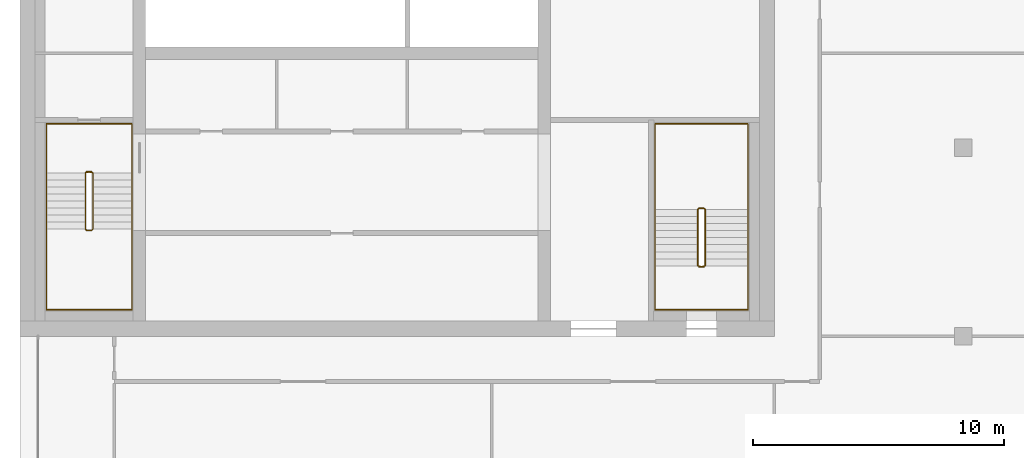
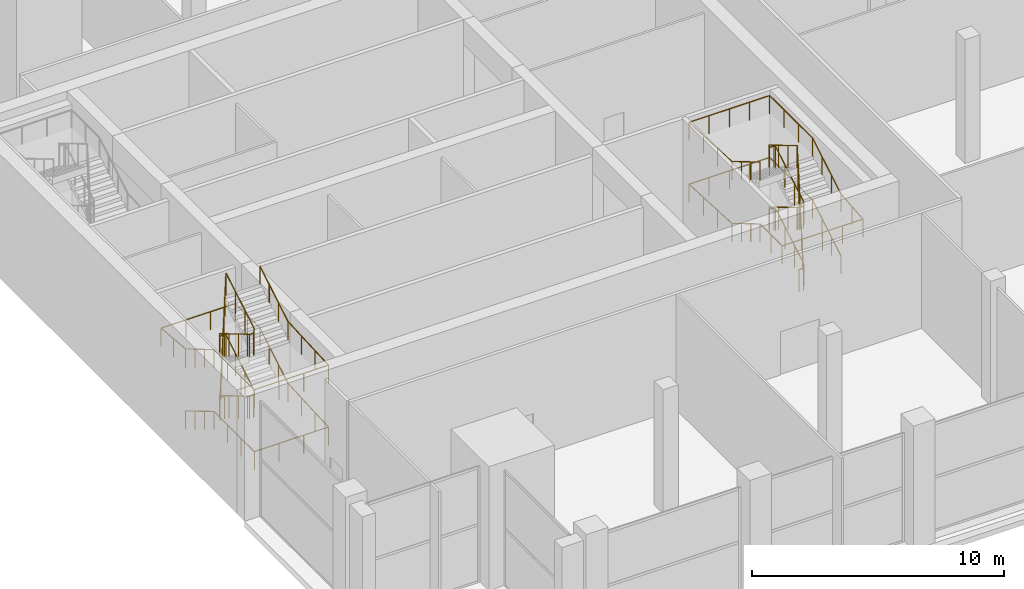
# One storey, part 14 of 15: 4 railings.
"""IFC4 building model written with IfcOpenShell, lengths in metres."""

from ifc_helpers import new_model, si_unit, direction, frame, origin, origin_2d, place, context, subcontext, project, spatial, circle, extrude, material, type_object, element, save


model = new_model("IFC4")

# Units and contexts
model_context = context("Model", 3, precision=1e-05, world=origin(), true_north=direction((0.0, 1.0)))
body_context = subcontext(model_context, "Body", "Model", "MODEL_VIEW")
ifc_project = project(units=[si_unit("LENGTHUNIT", "METRE"), si_unit("AREAUNIT", "SQUARE_METRE"), si_unit("VOLUMEUNIT", "CUBIC_METRE"), si_unit("PLANEANGLEUNIT", "RADIAN"), si_unit("MASSUNIT", "GRAM", prefix="KILO")], contexts=[model_context])

# Site, building, storey
site_placement = place(None, origin())
site = spatial("IfcSite", under=ifc_project, at=site_placement, CompositionType="ELEMENT")
building_placement = place(site_placement, origin())
building = spatial("IfcBuilding", under=site, at=building_placement, Name="Tamorin Gate", CompositionType="ELEMENT")
storey_placement = place(building_placement, frame((0.0, 0.0, 308.699951171875)))
storey = spatial("IfcBuildingStorey", under=building, at=storey_placement, Name="L76", CompositionType="ELEMENT", Elevation=308.699951171875)

# Railings
ifc_material_1 = material(Name="Painted steel balustrade", Category="steel")
railing_type_1 = type_object("IfcRailingType", Name="Stair guard 1100", PredefinedType="GUARDRAIL", material=ifc_material_1)
railing_1_placement = place(storey_placement, frame((32.60009765625, 66.5, 0.166748046875)))
element("IfcRailing", 1, at=railing_1_placement, inside=storey, type_object=railing_type_1, Name="L76 ST1 stair guard 1", PredefinedType="GUARDRAIL", context=body_context, shape_type="SweptSolid", body=[
    extrude(circle(Radius=0.02392578125, at=origin_2d()), frame((0.0, 0.0, 1.076171875), z_axis=(0.0, -0.859305625298, 0.511462454469), x_axis=(1.0, 0.0, 0.0)), (0.0, 0.0, 1.0), 2.606689453125),
    extrude(circle(Radius=0.02392578125, at=origin_2d()), frame((0.0, -2.239990234375, 2.4091796875), z_axis=(0.705375805398, -0.708833529934, 0.0), x_axis=(0.708833529934, 0.705375805398, 0.0)), (0.0, 0.0, 1.0), 0.070556640625),
    extrude(circle(Radius=0.02392578125, at=origin_2d()), frame((0.0498046875, -2.2900390625, 2.4091796875), z_axis=(1.0, 0.0, 0.0), x_axis=(0.0, 1.0, 0.0)), (0.0, 0.0, 1.0), 0.2001953125),
    extrude(circle(Radius=0.02392578125, at=origin_2d()), frame((0.25, -2.2900390625, 2.4091796875), z_axis=(0.275041040955, 0.276389281352, 0.920848191041), x_axis=(-0.708833529934, 0.705375805398, 0.0)), (0.0, 0.0, 1.0), 0.18115234375),
    extrude(circle(Radius=0.02392578125, at=origin_2d()), frame((0.2998046875, -2.239990234375, 2.576171875), z_axis=(0.0, 0.859305625298, 0.511462454469), x_axis=(-1.0, 0.0, 0.0)), (0.0, 0.0, 1.0), 2.606689453125),
    extrude(circle(Radius=0.02392578125, at=origin_2d()), frame((0.2998046875, 0.0, 3.9091796875), z_axis=(-0.98054382908, 0.196300278283, 0.0), x_axis=(-0.196300278283, -0.98054382908, 0.0)), (0.0, 0.0, 1.0), 0.2548828125),
    extrude(circle(Radius=0.02392578125, at=origin_2d()), frame((0.0498046875, 0.050048828125, 3.9091796875), z_axis=(1.0, 0.0, 0.0), x_axis=(0.0, 1.0, 0.0)), (0.0, 0.0, 1.0), 0.2001953125),
    extrude(circle(Radius=0.02392578125, at=origin_2d()), frame((0.25, 0.050048828125, 3.9091796875), z_axis=(-0.820621892478, -0.164284656209, 0.547348391174), x_axis=(0.196300278283, -0.98054382908, 0.0)), (0.0, 0.0, 1.0), 0.3046875),
    extrude(circle(Radius=0.02392578125, at=origin_2d()), frame((0.0, 0.0, 4.076171875), z_axis=(0.0, -0.859305625298, 0.511462454469), x_axis=(1.0, 0.0, 0.0)), (0.0, 0.0, 1.0), 2.606689453125),
    extrude(circle(Radius=0.02392578125, at=origin_2d()), frame((0.0, -2.239990234375, 5.4091796875), z_axis=(0.705375805398, -0.708833529934, 0.0), x_axis=(0.708833529934, 0.705375805398, 0.0)), (0.0, 0.0, 1.0), 0.070556640625),
    extrude(circle(Radius=0.02392578125, at=origin_2d()), frame((0.0498046875, -2.2900390625, 5.4091796875), z_axis=(1.0, 0.0, 0.0), x_axis=(0.0, 1.0, 0.0)), (0.0, 0.0, 1.0), 0.2001953125),
    extrude(circle(Radius=0.02392578125, at=origin_2d()), frame((0.25, -2.2900390625, 5.4091796875), z_axis=(0.275041040955, 0.276389281352, 0.920848191041), x_axis=(-0.708833529934, 0.705375805398, 0.0)), (0.0, 0.0, 1.0), 0.18115234375),
    extrude(circle(Radius=0.02392578125, at=origin_2d()), frame((0.2998046875, -2.239990234375, 5.576171875), z_axis=(0.0, 0.859305625298, 0.511462454469), x_axis=(-1.0, 0.0, 0.0)), (0.0, 0.0, 1.0), 2.606689453125),
    extrude(circle(Radius=0.02392578125, at=origin_2d()), frame((0.2998046875, 0.0, 6.9091796875), z_axis=(-0.041629098968, 0.008333950477, -0.999098375231), x_axis=(-0.196300278283, -0.98054382908, 0.0)), (0.0, 0.0, 1.0), 6.00537109375),
    extrude(circle(Radius=0.02392578125, at=origin_2d()), frame((0.0498046875, 0.050048828125, 0.9091796875), z_axis=(1.0, 0.0, 0.0), x_axis=(0.0, 1.0, 0.0)), (0.0, 0.0, 1.0), 0.2001953125),
    extrude(circle(Radius=0.02099609375, at=origin_2d()), origin(), (0.0, 0.0, 1.0), 1.052001953125),
    extrude(circle(Radius=0.02099609375, at=origin_2d()), frame((0.0, -0.74658203125, 0.4443359375)), (0.0, 0.0, 1.0), 1.052001953125),
    extrude(circle(Radius=0.02099609375, at=origin_2d()), frame((0.0, -1.493408203125, 0.888916015625)), (0.0, 0.0, 1.0), 1.052001953125),
    extrude(circle(Radius=0.02099609375, at=origin_2d()), frame((0.0, -2.239990234375, 1.333251953125)), (0.0, 0.0, 1.0), 1.052001953125),
    extrude(circle(Radius=0.02099609375, at=origin_2d()), frame((0.0498046875, -2.2900390625, 1.333251953125)), (0.0, 0.0, 1.0), 1.052001953125),
    extrude(circle(Radius=0.02099609375, at=origin_2d()), frame((0.25, -2.2900390625, 1.333251953125)), (0.0, 0.0, 1.0), 1.052001953125),
    extrude(circle(Radius=0.02099609375, at=origin_2d()), frame((0.2998046875, -2.239990234375, 1.5)), (0.0, 0.0, 1.0), 1.052001953125),
    extrude(circle(Radius=0.02099609375, at=origin_2d()), frame((0.2998046875, -1.493408203125, 1.9443359375)), (0.0, 0.0, 1.0), 1.052001953125),
    extrude(circle(Radius=0.02099609375, at=origin_2d()), frame((0.2998046875, -0.74658203125, 2.388916015625)), (0.0, 0.0, 1.0), 1.052001953125),
    extrude(circle(Radius=0.02099609375, at=origin_2d()), frame((0.2998046875, 0.0, 2.833251953125)), (0.0, 0.0, 1.0), 1.052001953125),
    extrude(circle(Radius=0.02099609375, at=origin_2d()), frame((0.0498046875, 0.050048828125, 2.833251953125)), (0.0, 0.0, 1.0), 1.052001953125),
    extrude(circle(Radius=0.02099609375, at=origin_2d()), frame((0.25, 0.050048828125, 2.833251953125)), (0.0, 0.0, 1.0), 1.052001953125),
    extrude(circle(Radius=0.02099609375, at=origin_2d()), frame((0.0, 0.0, 3.0)), (0.0, 0.0, 1.0), 1.052001953125),
    extrude(circle(Radius=0.02099609375, at=origin_2d()), frame((0.0, -0.74658203125, 3.4443359375)), (0.0, 0.0, 1.0), 1.052001953125),
    extrude(circle(Radius=0.02099609375, at=origin_2d()), frame((0.0, -1.493408203125, 3.888916015625)), (0.0, 0.0, 1.0), 1.052001953125),
    extrude(circle(Radius=0.02099609375, at=origin_2d()), frame((0.0, -2.239990234375, 4.333251953125)), (0.0, 0.0, 1.0), 1.052001953125),
    extrude(circle(Radius=0.02099609375, at=origin_2d()), frame((0.0498046875, -2.2900390625, 4.333251953125)), (0.0, 0.0, 1.0), 1.052001953125),
    extrude(circle(Radius=0.02099609375, at=origin_2d()), frame((0.25, -2.2900390625, 4.333251953125)), (0.0, 0.0, 1.0), 1.052001953125),
    extrude(circle(Radius=0.02099609375, at=origin_2d()), frame((0.2998046875, -2.239990234375, 4.5)), (0.0, 0.0, 1.0), 1.052001953125),
    extrude(circle(Radius=0.02099609375, at=origin_2d()), frame((0.2998046875, -1.493408203125, 4.9443359375)), (0.0, 0.0, 1.0), 1.052001953125),
    extrude(circle(Radius=0.02099609375, at=origin_2d()), frame((0.2998046875, -0.74658203125, 5.388916015625)), (0.0, 0.0, 1.0), 1.052001953125),
    extrude(circle(Radius=0.02099609375, at=origin_2d()), frame((0.2998046875, 0.0, 5.833251953125)), (0.0, 0.0, 1.0), 1.052001953125),
    extrude(circle(Radius=0.02099609375, at=origin_2d()), frame((0.258056640625, 0.00830078125, 4.833251953125)), (0.0, 0.0, 1.0), 1.052001953125),
    extrude(circle(Radius=0.02099609375, at=origin_2d()), frame((0.216552734375, 0.0166015625, 3.833251953125)), (0.0, 0.0, 1.0), 1.052001953125),
    extrude(circle(Radius=0.02099609375, at=origin_2d()), frame((0.1748046875, 0.02490234375, 2.833251953125)), (0.0, 0.0, 1.0), 1.052001953125),
    extrude(circle(Radius=0.02099609375, at=origin_2d()), frame((0.133056640625, 0.033447265625, 1.833251953125)), (0.0, 0.0, 1.0), 1.052001953125),
    extrude(circle(Radius=0.02099609375, at=origin_2d()), frame((0.091552734375, 0.041748046875, 0.833251953125)), (0.0, 0.0, 1.0), 1.052001953125),
    extrude(circle(Radius=0.02099609375, at=origin_2d()), frame((0.0498046875, 0.050048828125, -0.166748046875)), (0.0, 0.0, 1.0), 1.052001953125),
    extrude(circle(Radius=0.02099609375, at=origin_2d()), frame((0.25, 0.050048828125, -0.166748046875)), (0.0, 0.0, 1.0), 1.052001953125),
])
railing_2_placement = place(storey_placement, frame((57.25, 62.800048828125, 0.166748046875)))
element("IfcRailing", 2, at=railing_2_placement, inside=storey, type_object=railing_type_1, Name="L76 ST3 stair guard 1", PredefinedType="GUARDRAIL", context=body_context, shape_type="SweptSolid", body=[
    extrude(circle(Radius=0.02392578125, at=origin_2d()), frame((0.0, 0.0, 1.076171875), z_axis=(0.0, 0.859305625298, 0.511462454469), x_axis=(-1.0, 0.0, 0.0)), (0.0, 0.0, 1.0), 2.606689453125),
    extrude(circle(Radius=0.02392578125, at=origin_2d()), frame((0.0, 2.239990234375, 2.4091796875), z_axis=(-0.707106781187, 0.707106781187, 0.0), x_axis=(-0.707106781187, -0.707106781187, 0.0)), (0.0, 0.0, 1.0), 0.07080078125),
    extrude(circle(Radius=0.02392578125, at=origin_2d()), frame((-0.050048828125, 2.2900390625, 2.4091796875), z_axis=(-1.0, 0.0, 0.0), x_axis=(0.0, -1.0, 0.0)), (0.0, 0.0, 1.0), 0.199951171875),
    extrude(circle(Radius=0.02392578125, at=origin_2d()), frame((-0.25, 2.2900390625, 2.4091796875), z_axis=(-0.27628659633, -0.27628659633, 0.920506074601), x_axis=(0.707106781187, -0.707106781187, 0.0)), (0.0, 0.0, 1.0), 0.18115234375),
    extrude(circle(Radius=0.02392578125, at=origin_2d()), frame((-0.300048828125, 2.239990234375, 2.576171875), z_axis=(0.0, -0.859305625298, 0.511462454469), x_axis=(1.0, 0.0, 0.0)), (0.0, 0.0, 1.0), 2.606689453125),
    extrude(circle(Radius=0.02392578125, at=origin_2d()), frame((-0.300048828125, 0.0, 3.9091796875), z_axis=(0.98054382908, -0.196300278283, 0.0), x_axis=(0.196300278283, 0.98054382908, 0.0)), (0.0, 0.0, 1.0), 0.2548828125),
    extrude(circle(Radius=0.02392578125, at=origin_2d()), frame((-0.050048828125, -0.050048828125, 3.9091796875), z_axis=(-1.0, 0.0, 0.0), x_axis=(0.0, -1.0, 0.0)), (0.0, 0.0, 1.0), 0.199951171875),
    extrude(circle(Radius=0.02392578125, at=origin_2d()), frame((-0.25, -0.050048828125, 3.9091796875), z_axis=(0.820621892478, 0.164284656209, 0.547348391174), x_axis=(-0.196300278283, 0.98054382908, 0.0)), (0.0, 0.0, 1.0), 0.3046875),
    extrude(circle(Radius=0.02392578125, at=origin_2d()), frame((0.0, 0.0, 4.076171875), z_axis=(0.0, 0.859305625298, 0.511462454469), x_axis=(-1.0, 0.0, 0.0)), (0.0, 0.0, 1.0), 2.606689453125),
    extrude(circle(Radius=0.02392578125, at=origin_2d()), frame((0.0, 2.239990234375, 5.4091796875), z_axis=(-0.707106781187, 0.707106781187, 0.0), x_axis=(-0.707106781187, -0.707106781187, 0.0)), (0.0, 0.0, 1.0), 0.07080078125),
    extrude(circle(Radius=0.02392578125, at=origin_2d()), frame((-0.050048828125, 2.2900390625, 5.4091796875), z_axis=(-1.0, 0.0, 0.0), x_axis=(0.0, -1.0, 0.0)), (0.0, 0.0, 1.0), 0.199951171875),
    extrude(circle(Radius=0.02392578125, at=origin_2d()), frame((-0.25, 2.2900390625, 5.4091796875), z_axis=(-0.27628659633, -0.27628659633, 0.920506074601), x_axis=(0.707106781187, -0.707106781187, 0.0)), (0.0, 0.0, 1.0), 0.18115234375),
    extrude(circle(Radius=0.02392578125, at=origin_2d()), frame((-0.300048828125, 2.239990234375, 5.576171875), z_axis=(0.0, -0.859305625298, 0.511462454469), x_axis=(1.0, 0.0, 0.0)), (0.0, 0.0, 1.0), 2.606689453125),
    extrude(circle(Radius=0.02392578125, at=origin_2d()), frame((-0.300048828125, 0.0, 6.9091796875), z_axis=(0.041629098968, -0.008333950477, -0.999098375231), x_axis=(0.196300278283, 0.98054382908, 0.0)), (0.0, 0.0, 1.0), 6.00537109375),
    extrude(circle(Radius=0.02392578125, at=origin_2d()), frame((-0.050048828125, -0.050048828125, 0.9091796875), z_axis=(-1.0, 0.0, 0.0), x_axis=(0.0, -1.0, 0.0)), (0.0, 0.0, 1.0), 0.199951171875),
    extrude(circle(Radius=0.02099609375, at=origin_2d()), origin(), (0.0, 0.0, 1.0), 1.052001953125),
    extrude(circle(Radius=0.02099609375, at=origin_2d()), frame((0.0, 0.74658203125, 0.4443359375)), (0.0, 0.0, 1.0), 1.052001953125),
    extrude(circle(Radius=0.02099609375, at=origin_2d()), frame((0.0, 1.493408203125, 0.888916015625)), (0.0, 0.0, 1.0), 1.052001953125),
    extrude(circle(Radius=0.02099609375, at=origin_2d()), frame((0.0, 2.239990234375, 1.333251953125)), (0.0, 0.0, 1.0), 1.052001953125),
    extrude(circle(Radius=0.02099609375, at=origin_2d()), frame((-0.050048828125, 2.2900390625, 1.333251953125)), (0.0, 0.0, 1.0), 1.052001953125),
    extrude(circle(Radius=0.02099609375, at=origin_2d()), frame((-0.25, 2.2900390625, 1.333251953125)), (0.0, 0.0, 1.0), 1.052001953125),
    extrude(circle(Radius=0.02099609375, at=origin_2d()), frame((-0.300048828125, 2.239990234375, 1.5)), (0.0, 0.0, 1.0), 1.052001953125),
    extrude(circle(Radius=0.02099609375, at=origin_2d()), frame((-0.300048828125, 1.493408203125, 1.9443359375)), (0.0, 0.0, 1.0), 1.052001953125),
    extrude(circle(Radius=0.02099609375, at=origin_2d()), frame((-0.300048828125, 0.74658203125, 2.388916015625)), (0.0, 0.0, 1.0), 1.052001953125),
    extrude(circle(Radius=0.02099609375, at=origin_2d()), frame((-0.300048828125, 0.0, 2.833251953125)), (0.0, 0.0, 1.0), 1.052001953125),
    extrude(circle(Radius=0.02099609375, at=origin_2d()), frame((-0.050048828125, -0.050048828125, 2.833251953125)), (0.0, 0.0, 1.0), 1.052001953125),
    extrude(circle(Radius=0.02099609375, at=origin_2d()), frame((-0.25, -0.050048828125, 2.833251953125)), (0.0, 0.0, 1.0), 1.052001953125),
    extrude(circle(Radius=0.02099609375, at=origin_2d()), frame((0.0, 0.0, 3.0)), (0.0, 0.0, 1.0), 1.052001953125),
    extrude(circle(Radius=0.02099609375, at=origin_2d()), frame((0.0, 0.74658203125, 3.4443359375)), (0.0, 0.0, 1.0), 1.052001953125),
    extrude(circle(Radius=0.02099609375, at=origin_2d()), frame((0.0, 1.493408203125, 3.888916015625)), (0.0, 0.0, 1.0), 1.052001953125),
    extrude(circle(Radius=0.02099609375, at=origin_2d()), frame((0.0, 2.239990234375, 4.333251953125)), (0.0, 0.0, 1.0), 1.052001953125),
    extrude(circle(Radius=0.02099609375, at=origin_2d()), frame((-0.050048828125, 2.2900390625, 4.333251953125)), (0.0, 0.0, 1.0), 1.052001953125),
    extrude(circle(Radius=0.02099609375, at=origin_2d()), frame((-0.25, 2.2900390625, 4.333251953125)), (0.0, 0.0, 1.0), 1.052001953125),
    extrude(circle(Radius=0.02099609375, at=origin_2d()), frame((-0.300048828125, 2.239990234375, 4.5)), (0.0, 0.0, 1.0), 1.052001953125),
    extrude(circle(Radius=0.02099609375, at=origin_2d()), frame((-0.300048828125, 1.493408203125, 4.9443359375)), (0.0, 0.0, 1.0), 1.052001953125),
    extrude(circle(Radius=0.02099609375, at=origin_2d()), frame((-0.300048828125, 0.74658203125, 5.388916015625)), (0.0, 0.0, 1.0), 1.052001953125),
    extrude(circle(Radius=0.02099609375, at=origin_2d()), frame((-0.300048828125, 0.0, 5.833251953125)), (0.0, 0.0, 1.0), 1.052001953125),
    extrude(circle(Radius=0.02099609375, at=origin_2d()), frame((-0.25830078125, -0.00830078125, 4.833251953125)), (0.0, 0.0, 1.0), 1.052001953125),
    extrude(circle(Radius=0.02099609375, at=origin_2d()), frame((-0.216796875, -0.0166015625, 3.833251953125)), (0.0, 0.0, 1.0), 1.052001953125),
    extrude(circle(Radius=0.02099609375, at=origin_2d()), frame((-0.175048828125, -0.02490234375, 2.833251953125)), (0.0, 0.0, 1.0), 1.052001953125),
    extrude(circle(Radius=0.02099609375, at=origin_2d()), frame((-0.13330078125, -0.033447265625, 1.833251953125)), (0.0, 0.0, 1.0), 1.052001953125),
    extrude(circle(Radius=0.02099609375, at=origin_2d()), frame((-0.091796875, -0.041748046875, 0.833251953125)), (0.0, 0.0, 1.0), 1.052001953125),
    extrude(circle(Radius=0.02099609375, at=origin_2d()), frame((-0.050048828125, -0.050048828125, -0.166748046875)), (0.0, 0.0, 1.0), 1.052001953125),
    extrude(circle(Radius=0.02099609375, at=origin_2d()), frame((-0.25, -0.050048828125, -0.166748046875)), (0.0, 0.0, 1.0), 1.052001953125),
])
ifc_material_2 = material(Name="Painted steel handrail", Category="steel")
railing_type_2 = type_object("IfcRailingType", Name="Stair handrail 900", PredefinedType="HANDRAIL", material=ifc_material_2)
railing_3_placement = place(storey_placement, frame((31.050048828125, 66.5, 0.166748046875)))
element("IfcRailing", 3, at=railing_3_placement, inside=storey, type_object=railing_type_2, Name="L76 ST1 stair handrail 1", PredefinedType="HANDRAIL", context=body_context, shape_type="SweptSolid", body=[
    extrude(circle(Radius=0.02392578125, at=origin_2d()), frame((0.0, 0.0, 0.8759765625), z_axis=(0.0, -0.859305625298, 0.511462454469), x_axis=(1.0, 0.0, 0.0)), (0.0, 0.0, 1.0), 2.606689453125),
    extrude(circle(Radius=0.02392578125, at=origin_2d()), frame((0.0, -2.239990234375, 2.208984375), z_axis=(0.0, -1.0, 0.0), x_axis=(1.0, 0.0, 0.0)), (0.0, 0.0, 1.0), 3.2099609375),
    extrude(circle(Radius=0.02392578125, at=origin_2d()), frame((0.0, -5.449951171875, 2.208984375), z_axis=(1.0, 0.0, 0.0), x_axis=(0.0, 1.0, 0.0)), (0.0, 0.0, 1.0), 3.39990234375),
    extrude(circle(Radius=0.02392578125, at=origin_2d()), frame((3.39990234375, -5.449951171875, 2.208984375), z_axis=(0.0, 0.998653475843, 0.051877116215), x_axis=(-1.0, 0.0, 0.0)), (0.0, 0.0, 1.0), 3.21435546875),
    extrude(circle(Radius=0.02392578125, at=origin_2d()), frame((3.39990234375, -2.239990234375, 2.3759765625), z_axis=(0.0, 0.859305625298, 0.511462454469), x_axis=(-1.0, 0.0, 0.0)), (0.0, 0.0, 1.0), 2.606689453125),
    extrude(circle(Radius=0.02392578125, at=origin_2d()), frame((3.39990234375, 0.0, 3.708984375), z_axis=(0.0, 1.0, 0.0), x_axis=(-1.0, 0.0, 0.0)), (0.0, 0.0, 1.0), 1.949951171875),
    extrude(circle(Radius=0.02392578125, at=origin_2d()), frame((3.39990234375, 1.949951171875, 3.708984375), z_axis=(-1.0, 0.0, 0.0), x_axis=(0.0, -1.0, 0.0)), (0.0, 0.0, 1.0), 3.39990234375),
    extrude(circle(Radius=0.02392578125, at=origin_2d()), frame((0.0, 1.949951171875, 3.708984375), z_axis=(0.0, -0.996363612883, 0.085202998322), x_axis=(1.0, 0.0, 0.0)), (0.0, 0.0, 1.0), 1.95703125),
    extrude(circle(Radius=0.02392578125, at=origin_2d()), frame((0.0, 0.0, 3.8759765625), z_axis=(0.0, -0.859305625298, 0.511462454469), x_axis=(1.0, 0.0, 0.0)), (0.0, 0.0, 1.0), 2.606689453125),
    extrude(circle(Radius=0.02392578125, at=origin_2d()), frame((0.0, -2.239990234375, 5.208984375), z_axis=(0.0, -1.0, 0.0), x_axis=(1.0, 0.0, 0.0)), (0.0, 0.0, 1.0), 3.2099609375),
    extrude(circle(Radius=0.02392578125, at=origin_2d()), frame((0.0, -5.449951171875, 5.208984375), z_axis=(1.0, 0.0, 0.0), x_axis=(0.0, 1.0, 0.0)), (0.0, 0.0, 1.0), 3.39990234375),
    extrude(circle(Radius=0.02392578125, at=origin_2d()), frame((3.39990234375, -5.449951171875, 5.208984375), z_axis=(0.0, 0.998653475843, 0.051877116215), x_axis=(-1.0, 0.0, 0.0)), (0.0, 0.0, 1.0), 3.21435546875),
    extrude(circle(Radius=0.02392578125, at=origin_2d()), frame((3.39990234375, -2.239990234375, 5.3759765625), z_axis=(0.0, 0.859305625298, 0.511462454469), x_axis=(-1.0, 0.0, 0.0)), (0.0, 0.0, 1.0), 2.606689453125),
    extrude(circle(Radius=0.02099609375, at=origin_2d()), origin(), (0.0, 0.0, 1.0), 0.851806640625),
    extrude(circle(Radius=0.02099609375, at=origin_2d()), frame((0.0, -0.74658203125, 0.4443359375)), (0.0, 0.0, 1.0), 0.851806640625),
    extrude(circle(Radius=0.02099609375, at=origin_2d()), frame((0.0, -1.493408203125, 0.888916015625)), (0.0, 0.0, 1.0), 0.851806640625),
    extrude(circle(Radius=0.02099609375, at=origin_2d()), frame((0.0, -2.239990234375, 1.333251953125)), (0.0, 0.0, 1.0), 0.851806640625),
    extrude(circle(Radius=0.02099609375, at=origin_2d()), frame((0.0, -3.31005859375, 1.333251953125)), (0.0, 0.0, 1.0), 0.851806640625),
    extrude(circle(Radius=0.02099609375, at=origin_2d()), frame((0.0, -4.3798828125, 1.333251953125)), (0.0, 0.0, 1.0), 0.851806640625),
    extrude(circle(Radius=0.02099609375, at=origin_2d()), frame((0.0, -5.449951171875, 1.333251953125)), (0.0, 0.0, 1.0), 0.851806640625),
    extrude(circle(Radius=0.02099609375, at=origin_2d()), frame((1.13330078125, -5.449951171875, 1.333251953125)), (0.0, 0.0, 1.0), 0.851806640625),
    extrude(circle(Radius=0.02099609375, at=origin_2d()), frame((2.2666015625, -5.449951171875, 1.333251953125)), (0.0, 0.0, 1.0), 0.851806640625),
    extrude(circle(Radius=0.02099609375, at=origin_2d()), frame((3.39990234375, -5.449951171875, 1.333251953125)), (0.0, 0.0, 1.0), 0.851806640625),
    extrude(circle(Radius=0.02099609375, at=origin_2d()), frame((3.39990234375, -4.3798828125, 1.388916015625)), (0.0, 0.0, 1.0), 0.851806640625),
    extrude(circle(Radius=0.02099609375, at=origin_2d()), frame((3.39990234375, -3.31005859375, 1.4443359375)), (0.0, 0.0, 1.0), 0.851806640625),
    extrude(circle(Radius=0.02099609375, at=origin_2d()), frame((3.39990234375, -2.239990234375, 1.5)), (0.0, 0.0, 1.0), 0.851806640625),
    extrude(circle(Radius=0.02099609375, at=origin_2d()), frame((3.39990234375, -1.493408203125, 1.9443359375)), (0.0, 0.0, 1.0), 0.851806640625),
    extrude(circle(Radius=0.02099609375, at=origin_2d()), frame((3.39990234375, -0.74658203125, 2.388916015625)), (0.0, 0.0, 1.0), 0.851806640625),
    extrude(circle(Radius=0.02099609375, at=origin_2d()), frame((3.39990234375, 0.0, 2.833251953125)), (0.0, 0.0, 1.0), 0.851806640625),
    extrude(circle(Radius=0.02099609375, at=origin_2d()), frame((3.39990234375, 0.97509765625, 2.833251953125)), (0.0, 0.0, 1.0), 0.851806640625),
    extrude(circle(Radius=0.02099609375, at=origin_2d()), frame((3.39990234375, 1.949951171875, 2.833251953125)), (0.0, 0.0, 1.0), 0.851806640625),
    extrude(circle(Radius=0.02099609375, at=origin_2d()), frame((2.2666015625, 1.949951171875, 2.833251953125)), (0.0, 0.0, 1.0), 0.851806640625),
    extrude(circle(Radius=0.02099609375, at=origin_2d()), frame((1.13330078125, 1.949951171875, 2.833251953125)), (0.0, 0.0, 1.0), 0.851806640625),
    extrude(circle(Radius=0.02099609375, at=origin_2d()), frame((0.0, 1.949951171875, 2.833251953125)), (0.0, 0.0, 1.0), 0.851806640625),
    extrude(circle(Radius=0.02099609375, at=origin_2d()), frame((0.0, 0.97509765625, 2.91650390625)), (0.0, 0.0, 1.0), 0.851806640625),
    extrude(circle(Radius=0.02099609375, at=origin_2d()), frame((0.0, 0.0, 3.0)), (0.0, 0.0, 1.0), 0.851806640625),
    extrude(circle(Radius=0.02099609375, at=origin_2d()), frame((0.0, -0.74658203125, 3.4443359375)), (0.0, 0.0, 1.0), 0.851806640625),
    extrude(circle(Radius=0.02099609375, at=origin_2d()), frame((0.0, -1.493408203125, 3.888916015625)), (0.0, 0.0, 1.0), 0.851806640625),
    extrude(circle(Radius=0.02099609375, at=origin_2d()), frame((0.0, -2.239990234375, 4.333251953125)), (0.0, 0.0, 1.0), 0.851806640625),
    extrude(circle(Radius=0.02099609375, at=origin_2d()), frame((0.0, -3.31005859375, 4.333251953125)), (0.0, 0.0, 1.0), 0.851806640625),
    extrude(circle(Radius=0.02099609375, at=origin_2d()), frame((0.0, -4.3798828125, 4.333251953125)), (0.0, 0.0, 1.0), 0.851806640625),
    extrude(circle(Radius=0.02099609375, at=origin_2d()), frame((0.0, -5.449951171875, 4.333251953125)), (0.0, 0.0, 1.0), 0.851806640625),
    extrude(circle(Radius=0.02099609375, at=origin_2d()), frame((1.13330078125, -5.449951171875, 4.333251953125)), (0.0, 0.0, 1.0), 0.851806640625),
    extrude(circle(Radius=0.02099609375, at=origin_2d()), frame((2.2666015625, -5.449951171875, 4.333251953125)), (0.0, 0.0, 1.0), 0.851806640625),
    extrude(circle(Radius=0.02099609375, at=origin_2d()), frame((3.39990234375, -5.449951171875, 4.333251953125)), (0.0, 0.0, 1.0), 0.851806640625),
    extrude(circle(Radius=0.02099609375, at=origin_2d()), frame((3.39990234375, -4.3798828125, 4.388916015625)), (0.0, 0.0, 1.0), 0.851806640625),
    extrude(circle(Radius=0.02099609375, at=origin_2d()), frame((3.39990234375, -3.31005859375, 4.4443359375)), (0.0, 0.0, 1.0), 0.851806640625),
    extrude(circle(Radius=0.02099609375, at=origin_2d()), frame((3.39990234375, -2.239990234375, 4.5)), (0.0, 0.0, 1.0), 0.851806640625),
    extrude(circle(Radius=0.02099609375, at=origin_2d()), frame((3.39990234375, -1.493408203125, 4.9443359375)), (0.0, 0.0, 1.0), 0.851806640625),
    extrude(circle(Radius=0.02099609375, at=origin_2d()), frame((3.39990234375, -0.74658203125, 5.388916015625)), (0.0, 0.0, 1.0), 0.851806640625),
    extrude(circle(Radius=0.02099609375, at=origin_2d()), frame((3.39990234375, 0.0, 5.833251953125)), (0.0, 0.0, 1.0), 0.851806640625),
])
railing_4_placement = place(storey_placement, frame((58.949951171875, 62.800048828125, 0.166748046875)))
element("IfcRailing", 4, at=railing_4_placement, inside=storey, type_object=railing_type_2, Name="L76 ST3 stair handrail 1", PredefinedType="HANDRAIL", context=body_context, shape_type="SweptSolid", body=[
    extrude(circle(Radius=0.02392578125, at=origin_2d()), frame((0.0, 0.0, 0.8759765625), z_axis=(0.0, 0.859305625298, 0.511462454469), x_axis=(-1.0, 0.0, 0.0)), (0.0, 0.0, 1.0), 2.606689453125),
    extrude(circle(Radius=0.02392578125, at=origin_2d()), frame((0.0, 2.239990234375, 2.208984375), z_axis=(0.0, 1.0, 0.0), x_axis=(-1.0, 0.0, 0.0)), (0.0, 0.0, 1.0), 3.409912109375),
    extrude(circle(Radius=0.02392578125, at=origin_2d()), frame((0.0, 5.64990234375, 2.208984375), z_axis=(-1.0, 0.0, 0.0), x_axis=(0.0, -1.0, 0.0)), (0.0, 0.0, 1.0), 3.699951171875),
    extrude(circle(Radius=0.02392578125, at=origin_2d()), frame((-3.699951171875, 5.64990234375, 2.208984375), z_axis=(0.0, -0.998806487149, 0.048842616934), x_axis=(1.0, 0.0, 0.0)), (0.0, 0.0, 1.0), 3.4140625),
    extrude(circle(Radius=0.02392578125, at=origin_2d()), frame((-3.699951171875, 2.239990234375, 2.3759765625), z_axis=(0.0, -0.859305625298, 0.511462454469), x_axis=(1.0, 0.0, 0.0)), (0.0, 0.0, 1.0), 2.606689453125),
    extrude(circle(Radius=0.02392578125, at=origin_2d()), frame((-3.699951171875, 0.0, 3.708984375), z_axis=(0.0, -1.0, 0.0), x_axis=(1.0, 0.0, 0.0)), (0.0, 0.0, 1.0), 1.75),
    extrude(circle(Radius=0.02392578125, at=origin_2d()), frame((-3.699951171875, -1.75, 3.708984375), z_axis=(1.0, 0.0, 0.0), x_axis=(0.0, 1.0, 0.0)), (0.0, 0.0, 1.0), 3.699951171875),
    extrude(circle(Radius=0.02392578125, at=origin_2d()), frame((0.0, -1.75, 3.708984375), z_axis=(0.0, 0.995491102282, 0.094854969707), x_axis=(-1.0, 0.0, 0.0)), (0.0, 0.0, 1.0), 1.7578125),
    extrude(circle(Radius=0.02392578125, at=origin_2d()), frame((0.0, 0.0, 3.8759765625), z_axis=(0.0, 0.859305625298, 0.511462454469), x_axis=(-1.0, 0.0, 0.0)), (0.0, 0.0, 1.0), 2.606689453125),
    extrude(circle(Radius=0.02392578125, at=origin_2d()), frame((0.0, 2.239990234375, 5.208984375), z_axis=(0.0, 1.0, 0.0), x_axis=(-1.0, 0.0, 0.0)), (0.0, 0.0, 1.0), 3.409912109375),
    extrude(circle(Radius=0.02392578125, at=origin_2d()), frame((0.0, 5.64990234375, 5.208984375), z_axis=(-1.0, 0.0, 0.0), x_axis=(0.0, -1.0, 0.0)), (0.0, 0.0, 1.0), 3.699951171875),
    extrude(circle(Radius=0.02392578125, at=origin_2d()), frame((-3.699951171875, 5.64990234375, 5.208984375), z_axis=(0.0, -0.998806487149, 0.048842616934), x_axis=(1.0, 0.0, 0.0)), (0.0, 0.0, 1.0), 3.4140625),
    extrude(circle(Radius=0.02392578125, at=origin_2d()), frame((-3.699951171875, 2.239990234375, 5.3759765625), z_axis=(0.0, -0.859305625298, 0.511462454469), x_axis=(1.0, 0.0, 0.0)), (0.0, 0.0, 1.0), 2.606689453125),
    extrude(circle(Radius=0.02099609375, at=origin_2d()), origin(), (0.0, 0.0, 1.0), 0.851806640625),
    extrude(circle(Radius=0.02099609375, at=origin_2d()), frame((0.0, 0.74658203125, 0.4443359375)), (0.0, 0.0, 1.0), 0.851806640625),
    extrude(circle(Radius=0.02099609375, at=origin_2d()), frame((0.0, 1.493408203125, 0.888916015625)), (0.0, 0.0, 1.0), 0.851806640625),
    extrude(circle(Radius=0.02099609375, at=origin_2d()), frame((0.0, 2.239990234375, 1.333251953125)), (0.0, 0.0, 1.0), 0.851806640625),
    extrude(circle(Radius=0.02099609375, at=origin_2d()), frame((0.0, 3.376708984375, 1.333251953125)), (0.0, 0.0, 1.0), 0.851806640625),
    extrude(circle(Radius=0.02099609375, at=origin_2d()), frame((0.0, 4.51318359375, 1.333251953125)), (0.0, 0.0, 1.0), 0.851806640625),
    extrude(circle(Radius=0.02099609375, at=origin_2d()), frame((0.0, 5.64990234375, 1.333251953125)), (0.0, 0.0, 1.0), 0.851806640625),
    extrude(circle(Radius=0.02099609375, at=origin_2d()), frame((-0.925048828125, 5.64990234375, 1.333251953125)), (0.0, 0.0, 1.0), 0.851806640625),
    extrude(circle(Radius=0.02099609375, at=origin_2d()), frame((-1.85009765625, 5.64990234375, 1.333251953125)), (0.0, 0.0, 1.0), 0.851806640625),
    extrude(circle(Radius=0.02099609375, at=origin_2d()), frame((-2.77490234375, 5.64990234375, 1.333251953125)), (0.0, 0.0, 1.0), 0.851806640625),
    extrude(circle(Radius=0.02099609375, at=origin_2d()), frame((-3.699951171875, 5.64990234375, 1.333251953125)), (0.0, 0.0, 1.0), 0.851806640625),
    extrude(circle(Radius=0.02099609375, at=origin_2d()), frame((-3.699951171875, 4.51318359375, 1.388916015625)), (0.0, 0.0, 1.0), 0.851806640625),
    extrude(circle(Radius=0.02099609375, at=origin_2d()), frame((-3.699951171875, 3.376708984375, 1.4443359375)), (0.0, 0.0, 1.0), 0.851806640625),
    extrude(circle(Radius=0.02099609375, at=origin_2d()), frame((-3.699951171875, 2.239990234375, 1.5)), (0.0, 0.0, 1.0), 0.851806640625),
    extrude(circle(Radius=0.02099609375, at=origin_2d()), frame((-3.699951171875, 1.493408203125, 1.9443359375)), (0.0, 0.0, 1.0), 0.851806640625),
    extrude(circle(Radius=0.02099609375, at=origin_2d()), frame((-3.699951171875, 0.74658203125, 2.388916015625)), (0.0, 0.0, 1.0), 0.851806640625),
    extrude(circle(Radius=0.02099609375, at=origin_2d()), frame((-3.699951171875, 0.0, 2.833251953125)), (0.0, 0.0, 1.0), 0.851806640625),
    extrude(circle(Radius=0.02099609375, at=origin_2d()), frame((-3.699951171875, -0.875, 2.833251953125)), (0.0, 0.0, 1.0), 0.851806640625),
    extrude(circle(Radius=0.02099609375, at=origin_2d()), frame((-3.699951171875, -1.75, 2.833251953125)), (0.0, 0.0, 1.0), 0.851806640625),
    extrude(circle(Radius=0.02099609375, at=origin_2d()), frame((-2.77490234375, -1.75, 2.833251953125)), (0.0, 0.0, 1.0), 0.851806640625),
    extrude(circle(Radius=0.02099609375, at=origin_2d()), frame((-1.85009765625, -1.75, 2.833251953125)), (0.0, 0.0, 1.0), 0.851806640625),
    extrude(circle(Radius=0.02099609375, at=origin_2d()), frame((-0.925048828125, -1.75, 2.833251953125)), (0.0, 0.0, 1.0), 0.851806640625),
    extrude(circle(Radius=0.02099609375, at=origin_2d()), frame((0.0, -1.75, 2.833251953125)), (0.0, 0.0, 1.0), 0.851806640625),
    extrude(circle(Radius=0.02099609375, at=origin_2d()), frame((0.0, -0.875, 2.91650390625)), (0.0, 0.0, 1.0), 0.851806640625),
    extrude(circle(Radius=0.02099609375, at=origin_2d()), frame((0.0, 0.0, 3.0)), (0.0, 0.0, 1.0), 0.851806640625),
    extrude(circle(Radius=0.02099609375, at=origin_2d()), frame((0.0, 0.74658203125, 3.4443359375)), (0.0, 0.0, 1.0), 0.851806640625),
    extrude(circle(Radius=0.02099609375, at=origin_2d()), frame((0.0, 1.493408203125, 3.888916015625)), (0.0, 0.0, 1.0), 0.851806640625),
    extrude(circle(Radius=0.02099609375, at=origin_2d()), frame((0.0, 2.239990234375, 4.333251953125)), (0.0, 0.0, 1.0), 0.851806640625),
    extrude(circle(Radius=0.02099609375, at=origin_2d()), frame((0.0, 3.376708984375, 4.333251953125)), (0.0, 0.0, 1.0), 0.851806640625),
    extrude(circle(Radius=0.02099609375, at=origin_2d()), frame((0.0, 4.51318359375, 4.333251953125)), (0.0, 0.0, 1.0), 0.851806640625),
    extrude(circle(Radius=0.02099609375, at=origin_2d()), frame((0.0, 5.64990234375, 4.333251953125)), (0.0, 0.0, 1.0), 0.851806640625),
    extrude(circle(Radius=0.02099609375, at=origin_2d()), frame((-0.925048828125, 5.64990234375, 4.333251953125)), (0.0, 0.0, 1.0), 0.851806640625),
    extrude(circle(Radius=0.02099609375, at=origin_2d()), frame((-1.85009765625, 5.64990234375, 4.333251953125)), (0.0, 0.0, 1.0), 0.851806640625),
    extrude(circle(Radius=0.02099609375, at=origin_2d()), frame((-2.77490234375, 5.64990234375, 4.333251953125)), (0.0, 0.0, 1.0), 0.851806640625),
    extrude(circle(Radius=0.02099609375, at=origin_2d()), frame((-3.699951171875, 5.64990234375, 4.333251953125)), (0.0, 0.0, 1.0), 0.851806640625),
    extrude(circle(Radius=0.02099609375, at=origin_2d()), frame((-3.699951171875, 4.51318359375, 4.388916015625)), (0.0, 0.0, 1.0), 0.851806640625),
    extrude(circle(Radius=0.02099609375, at=origin_2d()), frame((-3.699951171875, 3.376708984375, 4.4443359375)), (0.0, 0.0, 1.0), 0.851806640625),
    extrude(circle(Radius=0.02099609375, at=origin_2d()), frame((-3.699951171875, 2.239990234375, 4.5)), (0.0, 0.0, 1.0), 0.851806640625),
    extrude(circle(Radius=0.02099609375, at=origin_2d()), frame((-3.699951171875, 1.493408203125, 4.9443359375)), (0.0, 0.0, 1.0), 0.851806640625),
    extrude(circle(Radius=0.02099609375, at=origin_2d()), frame((-3.699951171875, 0.74658203125, 5.388916015625)), (0.0, 0.0, 1.0), 0.851806640625),
    extrude(circle(Radius=0.02099609375, at=origin_2d()), frame((-3.699951171875, 0.0, 5.833251953125)), (0.0, 0.0, 1.0), 0.851806640625),
])

save(model, "model.ifc")
